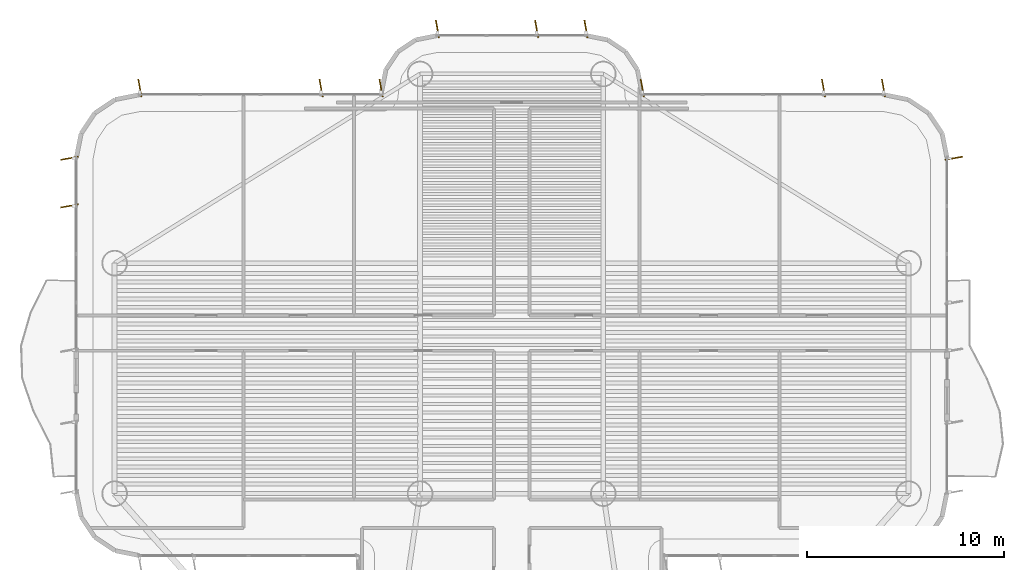
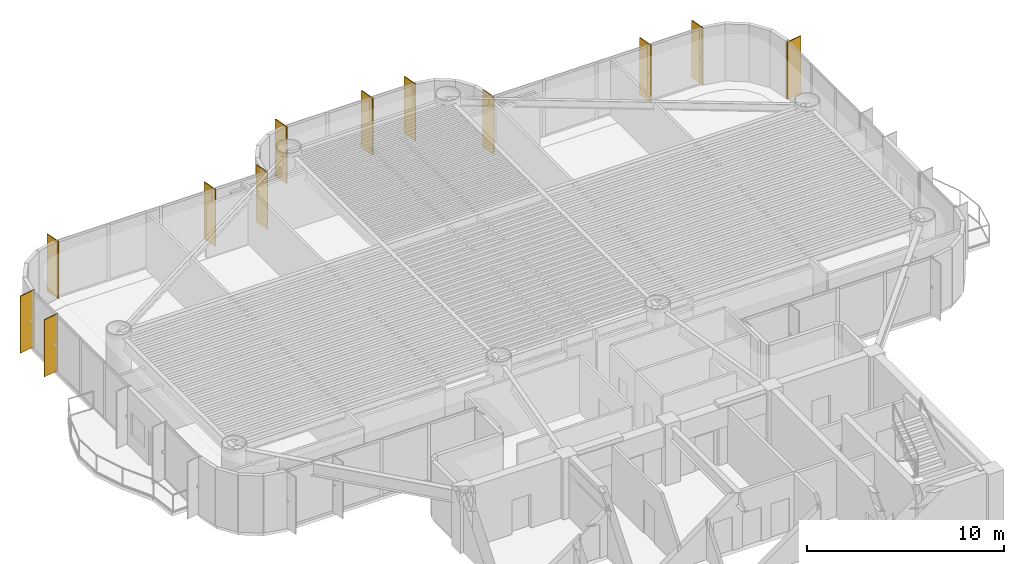
# One storey, part 16 of 16: 12 shading devices.
"""IFC4 building model written with IfcOpenShell, lengths in metres."""

from ifc_helpers import new_model, si_unit, direction, frame, origin, origin_2d, place, context, subcontext, project, spatial, rectangle, extrude, source, transform, mapped, material, material_profile, profile_set, type_object, element, save


model = new_model("IFC4")

# Units and contexts
model_context = context("Model", 3, precision=1e-05, world=origin(), true_north=direction((0.0, 1.0)))
body_context = subcontext(model_context, "Body", "Model", "MODEL_VIEW")
ifc_project = project(units=[si_unit("LENGTHUNIT", "METRE"), si_unit("AREAUNIT", "SQUARE_METRE"), si_unit("VOLUMEUNIT", "CUBIC_METRE"), si_unit("PLANEANGLEUNIT", "RADIAN"), si_unit("MASSUNIT", "GRAM", prefix="KILO")], contexts=[model_context])

# Site, building, storey
site_placement = place(None, origin())
site = spatial("IfcSite", under=ifc_project, at=site_placement, CompositionType="ELEMENT")
building_placement = place(site_placement, origin())
building = spatial("IfcBuilding", under=site, at=building_placement, Name="Brelvock Crest Care Tower", CompositionType="ELEMENT")
storey_placement = place(building_placement, frame((0.0, 0.0, 123.840087890625)))
storey = spatial("IfcBuildingStorey", under=building, at=storey_placement, Name="L31", CompositionType="ELEMENT", Elevation=123.840087890625)

# Shading devices
ifc_material = material(Name="Aluminium 6063-T6", Category="aluminium")
ifc_material_profile = material_profile(ifc_material, rectangle(XDim=0.054931640625, YDim=0.89990234375, at=origin_2d()), Name="FIN55x900")
ifc_profile_set = profile_set([ifc_material_profile], Name="Aluminium 6063-T6")
shading_device_type = type_object("IfcShadingDeviceType", Name="SHD-FIN1", PredefinedType="USERDEFINED", material=ifc_profile_set)
shared_shape = source(origin(), body_context, "Body", "SweptSolid", [
    extrude(rectangle(XDim=0.054931640625, YDim=0.89990234375, at=origin_2d()), origin(), (0.0, 0.0, 1.0), 3.530029296875),
])
for number, where, z_axis, x_axis, name in (
    (1, (13.56005859375, 41.75, 0.0), (0.0, 0.0, 1.0), (-0.173648177667, 0.984807753012, 0.0), "L31 Vertical Sunshade Fin E17B-04"),
    (2, (13.56005859375, 44.169921875, 0.0), (0.0, 0.0, 1.0), (-0.173648177667, 0.984807753012, 0.0), "L31 Vertical Sunshade Fin E17B-05"),
    (3, (17.1298828125, 47.739990234375, 0.0), (0.0, 0.0, 1.0), (0.984807753012, 0.173648177667, 0.0), "L31 Vertical Sunshade Fin E22-01"),
    (4, (26.324951171875, 47.739990234375, 0.0), (0.0, 0.0, 1.0), (0.984807753012, 0.173648177667, 0.0), "L31 Vertical Sunshade Fin E22-04"),
    (5, (29.3701171875, 47.739990234375, 0.0), (0.0, 0.0, 1.0), (0.984807753012, 0.173648177667, 0.0), "L31 Vertical Sunshade Fin E22-05"),
    (6, (32.22998046875, 50.739990234375, 0.0), (0.0, 0.0, 1.0), (0.984807753012, 0.173648177667, 0.0), "L31 Vertical Sunshade Fin E28-01"),
    (7, (37.2666015625, 50.739990234375, 0.0), (0.0, 0.0, 1.0), (0.984807753012, 0.173648177667, 0.0), "L31 Vertical Sunshade Fin E28-03"),
    (8, (39.77001953125, 50.739990234375, 0.0), (0.0, 0.0, 1.0), (0.984807753012, 0.173648177667, 0.0), "L31 Vertical Sunshade Fin E28-04"),
    (9, (42.6298828125, 47.739990234375, 0.0), (0.0, 0.0, 1.0), (0.984807753012, 0.173648177667, 0.0), "L31 Vertical Sunshade Fin E34-01"),
    (10, (51.824951171875, 47.739990234375, 0.0), (0.0, 0.0, 1.0), (0.984807753012, 0.173648177667, 0.0), "L31 Vertical Sunshade Fin E34-04"),
    (11, (54.8701171875, 47.739990234375, 0.0), (0.0, 0.0, 1.0), (0.984807753012, 0.173648177667, 0.0), "L31 Vertical Sunshade Fin E34-05"),
    (12, (58.43994140625, 44.169921875, 0.0), (0.0, 0.0, 1.0), (0.173648177667, -0.984807753012, 0.0), "L31 Vertical Sunshade Fin E39A-01"),
):
    element("IfcShadingDevice", number, at=place(storey_placement, frame(where, z_axis=z_axis, x_axis=x_axis)), inside=storey, type_object=shading_device_type, Name=name, ObjectType="FIN", PredefinedType="USERDEFINED", context=body_context, shape_type="MappedRepresentation", body=[
        mapped(shared_shape, transform((0.0, 0.0, 0.0), x_axis=(1.0, 0.0, 0.0), y_axis=(0.0, 1.0, 0.0), z_axis=(0.0, 0.0, 1.0), scale=1.0)),
    ])

save(model, "model.ifc")
